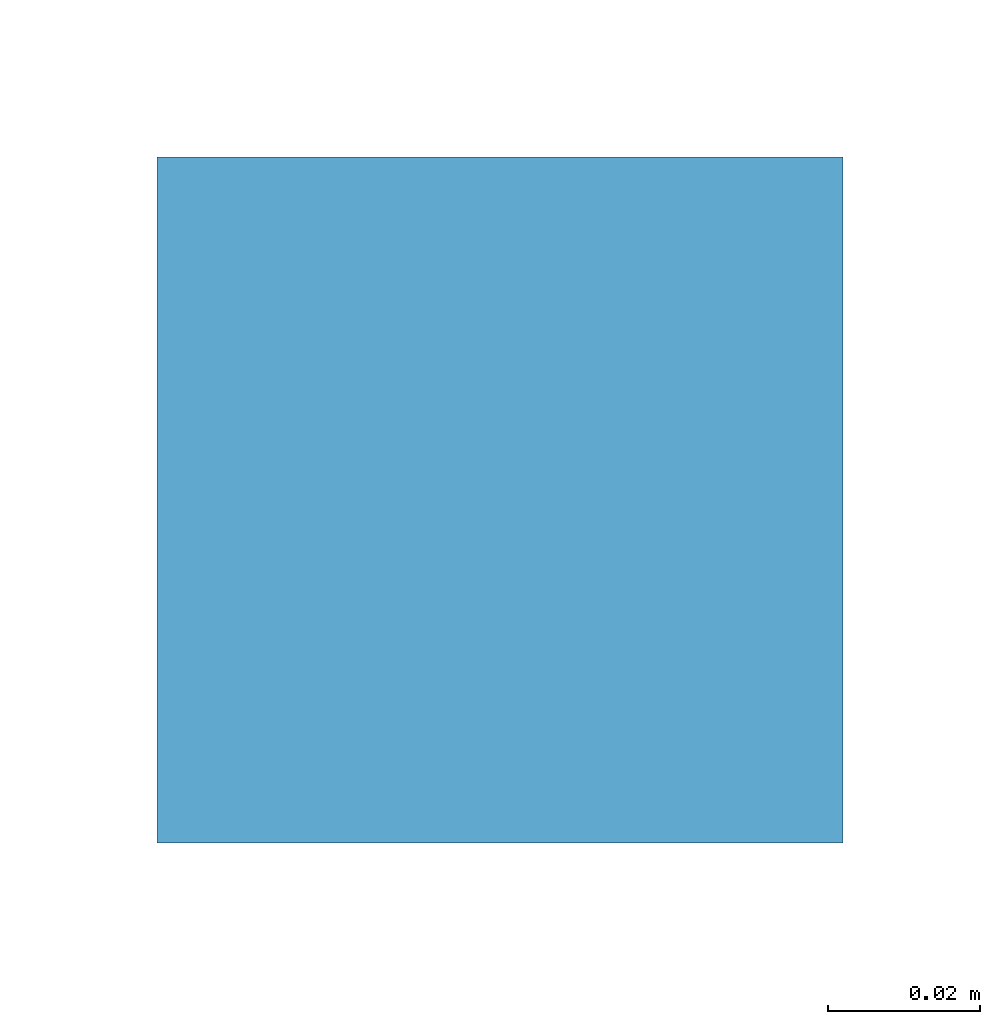
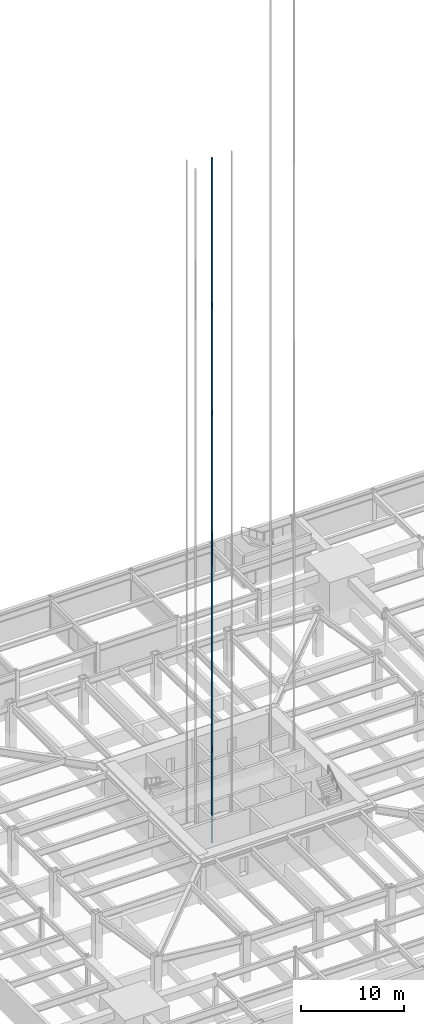
# One storey, part 20 of 35: 1 discrete accessory.
"""IFC4 building model written with IfcOpenShell, lengths in metres."""

from ifc_helpers import new_model, si_unit, direction, frame, origin, origin_2d, place, context, subcontext, project, spatial, rectangle, extrude, material, element, save


model = new_model("IFC4")

# Units and contexts
model_context = context("Model", 3, precision=1e-05, world=origin(), true_north=direction((0.0, 1.0)))
body_context = subcontext(model_context, "Body", "Model", "MODEL_VIEW")
ifc_project = project(units=[si_unit("LENGTHUNIT", "METRE"), si_unit("AREAUNIT", "SQUARE_METRE"), si_unit("VOLUMEUNIT", "CUBIC_METRE"), si_unit("PLANEANGLEUNIT", "RADIAN"), si_unit("MASSUNIT", "GRAM", prefix="KILO")], contexts=[model_context])

# Site, building, storey
site_placement = place(None, origin())
site = spatial("IfcSite", under=ifc_project, at=site_placement, CompositionType="ELEMENT")
building_placement = place(site_placement, origin())
building = spatial("IfcBuilding", under=site, at=building_placement, Name="Iwan Alto Co-Living Towers", CompositionType="ELEMENT")
storey_placement = place(building_placement, frame((0.0, 0.0, -7.199951171875)))
storey = spatial("IfcBuildingStorey", under=building, at=storey_placement, Name="B2", CompositionType="ELEMENT", Elevation=-7.199951171875)

# Discrete accessory
ifc_material = material(Name="Steel ASTM A36", Category="steel")
placement = place(storey_placement, frame((-3.41259765625, -3.0, 0.0), z_axis=(0.0, 0.0, 1.0), x_axis=(1.0, 0.0, 0.0)))
discrete_accessory_placement = place(placement, origin())
element("IfcDiscreteAccessory", 1, at=discrete_accessory_placement, inside=storey, material=ifc_material, Name="Lift P1-2 guide rail 1", ObjectType="Lift guide rail", PredefinedType="USERDEFINED", context=body_context, shape_type="SweptSolid", body=[
    extrude(rectangle(XDim=0.09, YDim=0.09, at=origin_2d()), frame((-1.10009765625, 0.0, -0.199951171875)), (0.0, 0.0, 1.0), 80.800048828125),
])

save(model, "model.ifc")
